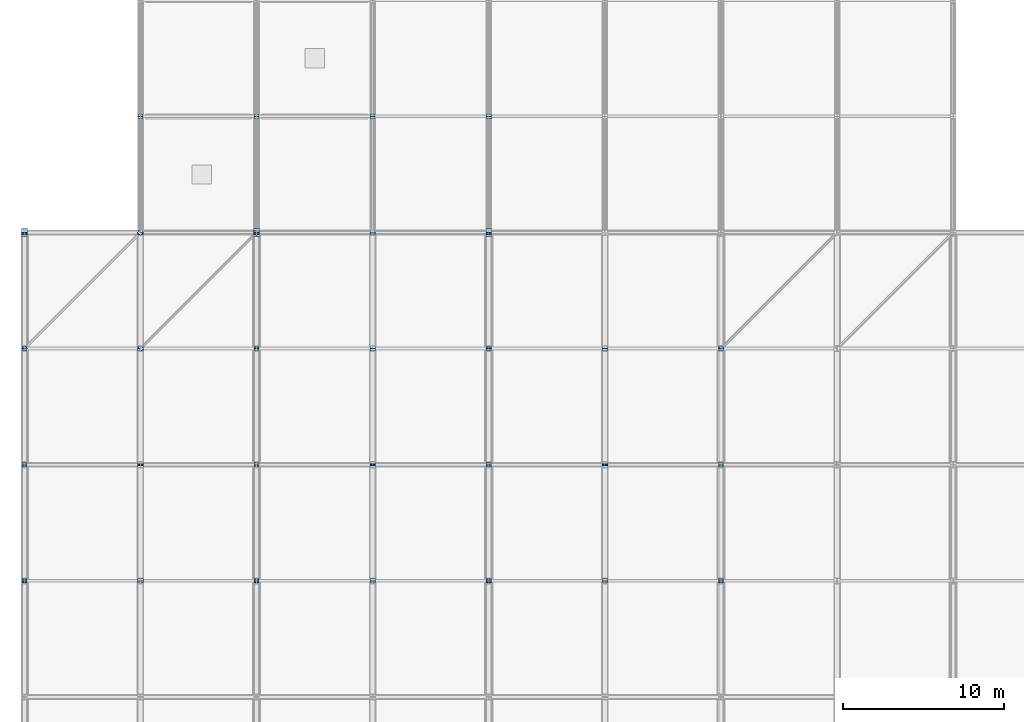
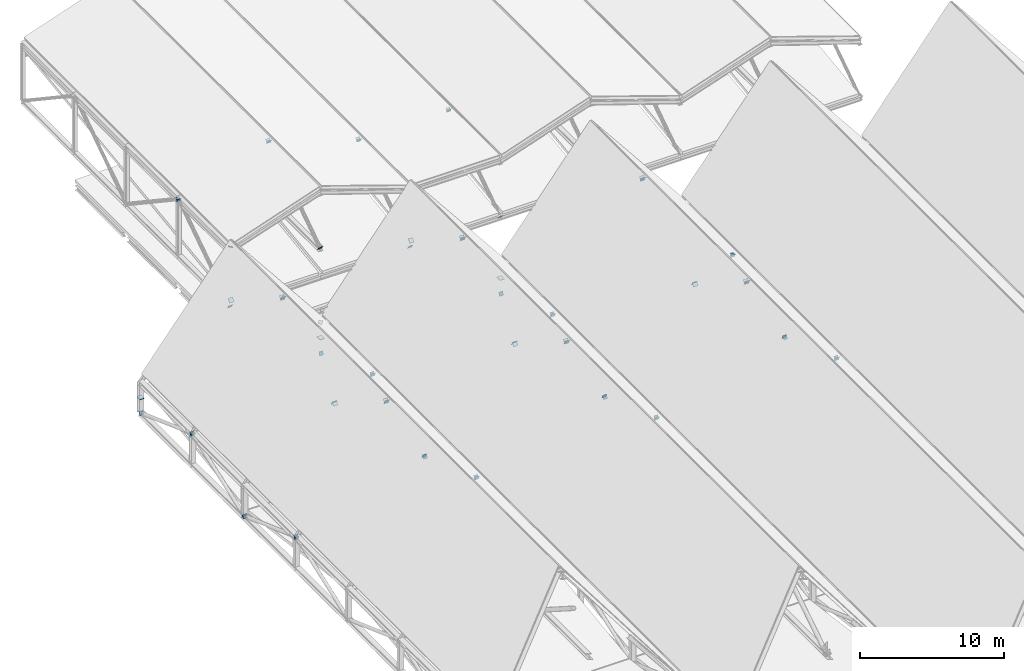
# One storey, part 51 of 60: 67 plates.
"""IFC4 building model written with IfcOpenShell, lengths in metres."""

from ifc_helpers import new_model, si_unit, direction, frame, origin, origin_2d, place, context, subcontext, project, spatial, rectangle, extrude, material, layer, layer_set, type_object, element, save


model = new_model("IFC4")

# Units and contexts
model_context = context("Model", 3, precision=1e-05, world=origin(), true_north=direction((0.0, 1.0)))
body_context = subcontext(model_context, "Body", "Model", "MODEL_VIEW")
ifc_project = project(units=[si_unit("LENGTHUNIT", "METRE"), si_unit("AREAUNIT", "SQUARE_METRE"), si_unit("VOLUMEUNIT", "CUBIC_METRE"), si_unit("PLANEANGLEUNIT", "RADIAN"), si_unit("MASSUNIT", "GRAM", prefix="KILO")], contexts=[model_context])

# Site, building, storey
site_placement = place(None, origin())
site = spatial("IfcSite", under=ifc_project, at=site_placement, CompositionType="ELEMENT")
building_placement = place(site_placement, origin())
building = spatial("IfcBuilding", under=site, at=building_placement, Name="Vesperath Aquatics Centre", CompositionType="ELEMENT")
storey_placement = place(building_placement, frame((0.0, 0.0, 27.60009765625)))
storey = spatial("IfcBuildingStorey", under=building, at=storey_placement, Name="RF", CompositionType="ELEMENT", Elevation=27.60009765625)

# Plates
ifc_material = material(Name="Steel Q355D", Category="steel")
ifc_layer_1 = layer(ifc_material, 0.02001953125)
ifc_layer_set_1 = layer_set([ifc_layer_1], Name="Steel Q355D")
plate_type_1 = type_object("IfcPlateType", Name="PT-TN01", PredefinedType="SHEET", material=ifc_layer_set_1)
for number, where, z_axis, x_axis, name in (
    (1, (7.199951171875, 64.732421875, -0.84326171875), (0.0, 0.842696259913, 0.538389276944), (-1.0, 0.0, 0.0), "Truss Node Cap Plate TN01"),
    (2, (7.199951171875, 64.850341796875, -0.83251953125), (0.0, 0.842696259913, -0.538389276944), (-1.0, 0.0, 0.0), "Truss Node Cap Plate TN01"),
    (3, (7.199951171875, 71.932373046875, -5.35693359375), (0.0, 0.842696259913, -0.538389276944), (-1.0, 0.0, 0.0), "Truss Node Cap Plate TN01"),
    (4, (7.199951171875, 72.050537109375, -5.36767578125), (0.0, 0.842696259913, 0.538389276944), (-1.0, 0.0, 0.0), "Truss Node Cap Plate TN01"),
    (5, (7.199951171875, 79.132568359375, -0.84326171875), (0.0, 0.842696259913, 0.538389276944), (-1.0, 0.0, 0.0), "Truss Node Cap Plate TN01"),
    (6, (7.199951171875, 79.25048828125, -0.83251953125), (0.0, 0.842696259913, -0.538389276944), (-1.0, 0.0, 0.0), "Truss Node Cap Plate TN01"),
    (7, (7.199951171875, 86.33251953125, -5.35693359375), (0.0, 0.842696259913, -0.538389276944), (-1.0, 0.0, 0.0), "Truss Node Cap Plate TN01"),
    (8, (21.60009765625, 64.732421875, -0.84326171875), (0.0, 0.842696259913, 0.538389276944), (-1.0, 0.0, 0.0), "Truss Node Cap Plate TN01"),
    (9, (21.60009765625, 64.850341796875, -0.83251953125), (0.0, 0.842696259913, -0.538389276944), (-1.0, 0.0, 0.0), "Truss Node Cap Plate TN01"),
    (10, (21.60009765625, 71.932373046875, -5.35693359375), (0.0, 0.842696259913, -0.538389276944), (-1.0, 0.0, 0.0), "Truss Node Cap Plate TN01"),
    (11, (21.60009765625, 72.050537109375, -5.36767578125), (0.0, 0.842696259913, 0.538389276944), (-1.0, 0.0, 0.0), "Truss Node Cap Plate TN01"),
    (12, (21.60009765625, 79.132568359375, -0.84326171875), (0.0, 0.842696259913, 0.538389276944), (-1.0, 0.0, 0.0), "Truss Node Cap Plate TN01"),
    (13, (21.60009765625, 79.25048828125, -0.83251953125), (0.0, 0.842696259913, -0.538389276944), (-1.0, 0.0, 0.0), "Truss Node Cap Plate TN01"),
    (14, (21.60009765625, 86.33251953125, -5.35693359375), (0.0, 0.842696259913, -0.538389276944), (-1.0, 0.0, 0.0), "Truss Node Cap Plate TN01"),
    (15, (36.0, 64.732421875, -0.84326171875), (0.0, 0.842696259913, 0.538389276944), (-1.0, 0.0, 0.0), "Truss Node Cap Plate TN01"),
    (16, (36.0, 64.850341796875, -0.83251953125), (0.0, 0.842696259913, -0.538389276944), (-1.0, 0.0, 0.0), "Truss Node Cap Plate TN01"),
    (17, (36.0, 71.932373046875, -5.35693359375), (0.0, 0.842696259913, -0.538389276944), (-1.0, 0.0, 0.0), "Truss Node Cap Plate TN01"),
    (18, (36.0, 72.050537109375, -5.36767578125), (0.0, 0.842696259913, 0.538389276944), (-1.0, 0.0, 0.0), "Truss Node Cap Plate TN01"),
    (19, (36.0, 79.132568359375, -0.84326171875), (0.0, 0.842696259913, 0.538389276944), (-1.0, 0.0, 0.0), "Truss Node Cap Plate TN01"),
    (20, (36.0, 79.25048828125, -0.83251953125), (0.0, 0.842696259913, -0.538389276944), (-1.0, 0.0, 0.0), "Truss Node Cap Plate TN01"),
):
    element("IfcPlate", number, at=place(storey_placement, frame(where, z_axis=z_axis, x_axis=x_axis)), inside=storey, type_object=plate_type_1, Name=name, PredefinedType="SHEET", context=body_context, shape_type="SweptSolid", body=[
        extrude(rectangle(XDim=0.360107421875, YDim=0.360107421875, at=origin_2d()), origin(), (0.0, 0.0, 1.0), 0.02001953125),
    ])
ifc_layer_2 = layer(ifc_material, 0.02001953125)
ifc_layer_set_2 = layer_set([ifc_layer_2], Name="Steel Q355D")
plate_type_2 = type_object("IfcPlateType", Name="PT-TN02", PredefinedType="SHEET", material=ifc_layer_set_2)
for number, where, z_axis, x_axis, name in (
    (21, (0.0, 64.724609375, -9.827392578125), (0.0, 0.940553899656, 0.339644463876), (-1.0, 0.0, 0.0), "Truss Node Cap Plate TN02"),
    (22, (0.0, 64.856201171875, -9.820556640625), (0.0, 0.940553899656, -0.339644463876), (-1.0, 0.0, 0.0), "Truss Node Cap Plate TN02"),
    (23, (0.0, 71.924560546875, -12.372802734375), (0.0, 0.940553899656, -0.339644463876), (-1.0, 0.0, 0.0), "Truss Node Cap Plate TN02"),
    (24, (0.0, 72.056396484375, -12.379638671875), (0.0, 0.940553899656, 0.339644463876), (-1.0, 0.0, 0.0), "Truss Node Cap Plate TN02"),
    (25, (0.0, 79.124755859375, -9.827392578125), (0.0, 0.940553899656, 0.339644463876), (-1.0, 0.0, 0.0), "Truss Node Cap Plate TN02"),
    (26, (0.0, 79.25634765625, -9.820556640625), (0.0, 0.940553899656, -0.339644463876), (-1.0, 0.0, 0.0), "Truss Node Cap Plate TN02"),
    (27, (0.0, 86.32470703125, -12.372802734375), (0.0, 0.940553899656, -0.339644463876), (-1.0, 0.0, 0.0), "Truss Node Cap Plate TN02"),
    (28, (14.39990234375, 64.724609375, -9.827392578125), (0.0, 0.940553899656, 0.339644463876), (-1.0, 0.0, 0.0), "Truss Node Cap Plate TN02"),
    (29, (14.39990234375, 64.856201171875, -9.820556640625), (0.0, 0.940553899656, -0.339644463876), (-1.0, 0.0, 0.0), "Truss Node Cap Plate TN02"),
    (30, (14.39990234375, 71.924560546875, -12.372802734375), (0.0, 0.940553899656, -0.339644463876), (-1.0, 0.0, 0.0), "Truss Node Cap Plate TN02"),
    (31, (14.39990234375, 72.056396484375, -12.379638671875), (0.0, 0.940553899656, 0.339644463876), (-1.0, 0.0, 0.0), "Truss Node Cap Plate TN02"),
    (32, (14.39990234375, 79.124755859375, -9.827392578125), (0.0, 0.940553899656, 0.339644463876), (-1.0, 0.0, 0.0), "Truss Node Cap Plate TN02"),
    (33, (14.39990234375, 79.25634765625, -9.820556640625), (0.0, 0.940553899656, -0.339644463876), (-1.0, 0.0, 0.0), "Truss Node Cap Plate TN02"),
    (34, (14.39990234375, 86.32470703125, -12.372802734375), (0.0, 0.940553899656, -0.339644463876), (-1.0, 0.0, 0.0), "Truss Node Cap Plate TN02"),
    (35, (28.800048828125, 64.724609375, -9.827392578125), (0.0, 0.940553899656, 0.339644463876), (-1.0, 0.0, 0.0), "Truss Node Cap Plate TN02"),
    (36, (28.800048828125, 64.856201171875, -9.820556640625), (0.0, 0.940553899656, -0.339644463876), (-1.0, 0.0, 0.0), "Truss Node Cap Plate TN02"),
    (37, (28.800048828125, 71.924560546875, -12.372802734375), (0.0, 0.940553899656, -0.339644463876), (-1.0, 0.0, 0.0), "Truss Node Cap Plate TN02"),
    (38, (28.800048828125, 72.056396484375, -12.379638671875), (0.0, 0.940553899656, 0.339644463876), (-1.0, 0.0, 0.0), "Truss Node Cap Plate TN02"),
    (39, (28.800048828125, 79.124755859375, -9.827392578125), (0.0, 0.940553899656, 0.339644463876), (-1.0, 0.0, 0.0), "Truss Node Cap Plate TN02"),
    (40, (28.800048828125, 79.25634765625, -9.820556640625), (0.0, 0.940553899656, -0.339644463876), (-1.0, 0.0, 0.0), "Truss Node Cap Plate TN02"),
    (41, (28.800048828125, 86.32470703125, -12.372802734375), (0.0, 0.940553899656, -0.339644463876), (-1.0, 0.0, 0.0), "Truss Node Cap Plate TN02"),
    (42, (43.199951171875, 64.724609375, -9.827392578125), (0.0, 0.940553899656, 0.339644463876), (-1.0, 0.0, 0.0), "Truss Node Cap Plate TN02"),
    (43, (43.199951171875, 64.856201171875, -9.820556640625), (0.0, 0.940553899656, -0.339644463876), (-1.0, 0.0, 0.0), "Truss Node Cap Plate TN02"),
    (44, (43.199951171875, 71.924560546875, -12.372802734375), (0.0, 0.940553899656, -0.339644463876), (-1.0, 0.0, 0.0), "Truss Node Cap Plate TN02"),
    (45, (43.199951171875, 72.056396484375, -12.379638671875), (0.0, 0.940553899656, 0.339644463876), (-1.0, 0.0, 0.0), "Truss Node Cap Plate TN02"),
    (46, (43.199951171875, 79.124755859375, -9.827392578125), (0.0, 0.940553899656, 0.339644463876), (-1.0, 0.0, 0.0), "Truss Node Cap Plate TN02"),
    (47, (43.199951171875, 79.25634765625, -9.820556640625), (0.0, 0.940553899656, -0.339644463876), (-1.0, 0.0, 0.0), "Truss Node Cap Plate TN02"),
    (48, (7.199951171875, 86.449951171875, -5.966796875), (0.0, 0.832050294338, 0.554700196225), (-1.0, 0.0, 0.0), "Truss Node Cap Plate TN02"),
    (49, (7.199951171875, 93.533447265625, -1.24462890625), (0.0, 0.832050294338, 0.554700196225), (-1.0, 0.0, 0.0), "Truss Node Cap Plate TN02"),
    (50, (7.199951171875, 93.64990234375, -1.2333984375), (0.0, 0.832050294338, -0.554700196225), (-1.0, 0.0, 0.0), "Truss Node Cap Plate TN02"),
    (51, (14.39990234375, 86.449951171875, -3.56689453125), (0.0, 0.832050294338, 0.554700196225), (-1.0, 0.0, 0.0), "Truss Node Cap Plate TN02"),
    (52, (14.39990234375, 93.533447265625, 1.155517578125), (0.0, 0.832050294338, 0.554700196225), (-1.0, 0.0, 0.0), "Truss Node Cap Plate TN02"),
    (53, (14.39990234375, 93.64990234375, 1.166748046875), (0.0, 0.832050294338, -0.554700196225), (-1.0, 0.0, 0.0), "Truss Node Cap Plate TN02"),
    (54, (21.60009765625, 86.449951171875, -5.966796875), (0.0, 0.832050294338, 0.554700196225), (-1.0, 0.0, 0.0), "Truss Node Cap Plate TN02"),
    (55, (21.60009765625, 93.533447265625, -1.24462890625), (0.0, 0.832050294338, 0.554700196225), (-1.0, 0.0, 0.0), "Truss Node Cap Plate TN02"),
    (56, (21.60009765625, 93.64990234375, -1.2333984375), (0.0, 0.832050294338, -0.554700196225), (-1.0, 0.0, 0.0), "Truss Node Cap Plate TN02"),
    (57, (28.800048828125, 86.449951171875, -5.966796875), (0.0, 0.832050294338, 0.554700196225), (-1.0, 0.0, 0.0), "Truss Node Cap Plate TN02"),
    (58, (28.800048828125, 93.533447265625, -1.24462890625), (0.0, 0.832050294338, 0.554700196225), (-1.0, 0.0, 0.0), "Truss Node Cap Plate TN02"),
    (59, (28.800048828125, 93.64990234375, -1.2333984375), (0.0, 0.832050294338, -0.554700196225), (-1.0, 0.0, 0.0), "Truss Node Cap Plate TN02"),
):
    element("IfcPlate", number, at=place(storey_placement, frame(where, z_axis=z_axis, x_axis=x_axis)), inside=storey, type_object=plate_type_2, Name=name, PredefinedType="SHEET", context=body_context, shape_type="SweptSolid", body=[
        extrude(rectangle(XDim=0.320068359375, YDim=0.320068359375, at=origin_2d()), origin(), (0.0, 0.0, 1.0), 0.02001953125),
    ])
ifc_layer_3 = layer(ifc_material, 0.01806640625)
ifc_layer_set_3 = layer_set([ifc_layer_3], Name="Steel Q355D")
plate_type_3 = type_object("IfcPlateType", Name="PT-TN03", PredefinedType="SHEET", material=ifc_layer_set_3)
for number, where, z_axis, x_axis, name in (
    (60, (0.03271484375, 79.232666015625, -9.75927734375), (0.529812942738, 0.529812942738, 0.662266178673), (-0.707106781187, 0.707106781187, 0.0), "Truss Node Cap Plate TN03"),
    (61, (7.157470703125, 86.357421875, -0.853271484375), (0.529812942738, 0.529812942738, 0.662266178673), (-0.707106781187, 0.707106781187, 0.0), "Truss Node Cap Plate TN03"),
    (62, (7.232666015625, 79.232666015625, -0.841064453125), (0.529812942738, 0.529812942738, -0.662266178673), (-0.707106781187, 0.707106781187, 0.0), "Truss Node Cap Plate TN03"),
    (63, (14.357421875, 86.357421875, -9.7470703125), (0.529812942738, 0.529812942738, -0.662266178673), (-0.707106781187, 0.707106781187, 0.0), "Truss Node Cap Plate TN03"),
    (64, (43.232666015625, 79.232666015625, -9.75927734375), (0.529812942738, 0.529812942738, 0.662266178673), (-0.707106781187, 0.707106781187, 0.0), "Truss Node Cap Plate TN03"),
):
    element("IfcPlate", number, at=place(storey_placement, frame(where, z_axis=z_axis, x_axis=x_axis)), inside=storey, type_object=plate_type_3, Name=name, PredefinedType="SHEET", context=body_context, shape_type="SweptSolid", body=[
        extrude(rectangle(XDim=0.280029296875, YDim=0.280029296875, at=origin_2d()), origin(), (0.0, 0.0, 1.0), 0.01806640625),
    ])
ifc_layer_4 = layer(ifc_material, 0.02197265625)
ifc_layer_set_4 = layer_set([ifc_layer_4], Name="Steel Q355D")
plate_type_4 = type_object("IfcPlateType", Name="PT-TN06", PredefinedType="SHEET", material=ifc_layer_set_4)
for number, where, z_axis, x_axis, name in (
    (65, (0.0, 86.39990234375, -11.111083984375), (0.0, 0.0, 1.0), (0.0, 1.0, 0.0), "Truss Support Gusset Plate TN06 G1/N"),
    (66, (14.39990234375, 86.39990234375, -11.111083984375), (0.0, 0.0, 1.0), (0.0, 1.0, 0.0), "Truss Support Gusset Plate TN06 G3/N"),
    (67, (28.800048828125, 86.39990234375, -11.111083984375), (0.0, 0.0, 1.0), (0.0, 1.0, 0.0), "Truss Support Gusset Plate TN06 G5/N"),
):
    element("IfcPlate", number, at=place(storey_placement, frame(where, z_axis=z_axis, x_axis=x_axis)), inside=storey, type_object=plate_type_4, Name=name, PredefinedType="SHEET", context=body_context, shape_type="SweptSolid", body=[
        extrude(rectangle(XDim=0.47998046875, YDim=0.360107421875, at=origin_2d()), origin(), (0.0, 0.0, 1.0), 0.02197265625),
    ])

save(model, "model.ifc")
